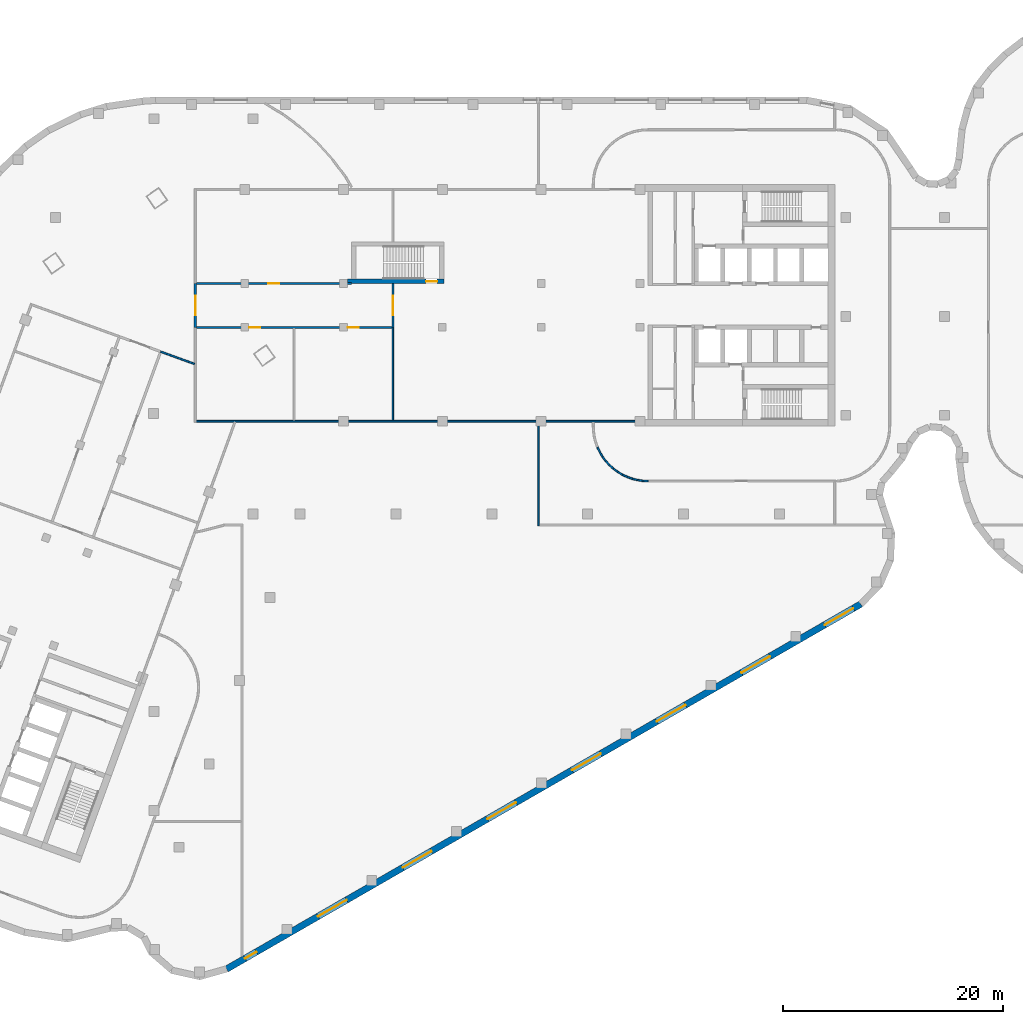
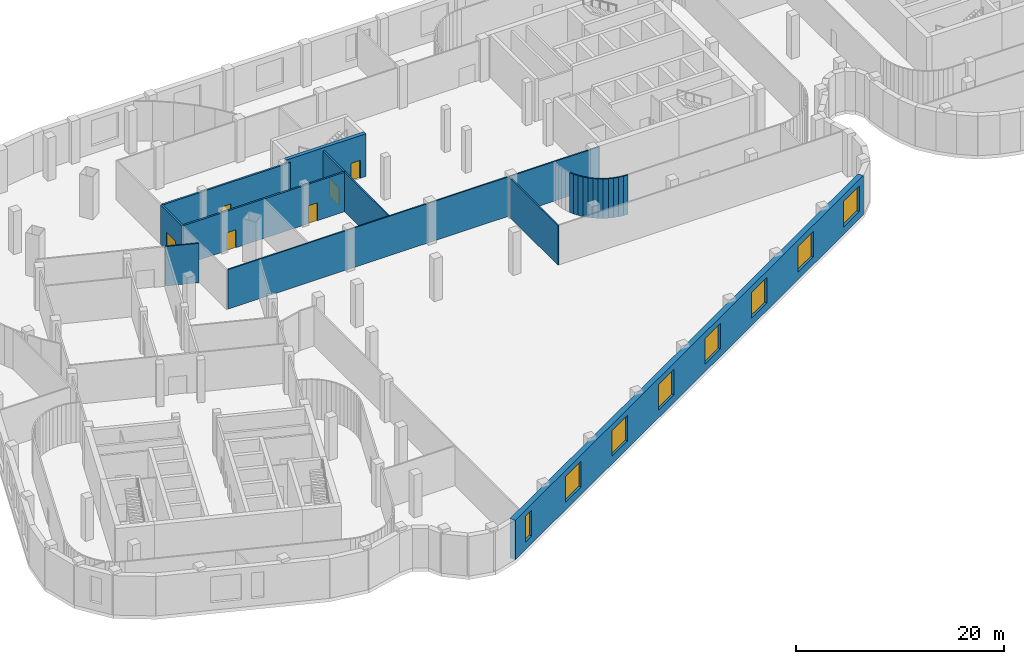
# One storey, part 7 of 18: 22 walls, 8 windows, 6 doors, 14 openings.
"""IFC4 building model written with IfcOpenShell, lengths in metres."""

from ifc_helpers import new_model, si_unit, direction, frame, frame_2d, origin, place, context, subcontext, project, spatial, rectangle, extrude, material, layer, layer_set, type_object, element, fill, save


model = new_model("IFC4")

# Units and contexts
model_context = context("Model", 3, precision=1e-05, world=origin(), true_north=direction((0.0, 1.0)))
body_context = subcontext(model_context, "Body", "Model", "MODEL_VIEW")
ifc_project = project(units=[si_unit("LENGTHUNIT", "METRE"), si_unit("AREAUNIT", "SQUARE_METRE"), si_unit("VOLUMEUNIT", "CUBIC_METRE"), si_unit("PLANEANGLEUNIT", "RADIAN"), si_unit("MASSUNIT", "GRAM", prefix="KILO")], contexts=[model_context])

# Site, building, storey
site_placement = place(None, origin())
site = spatial("IfcSite", under=ifc_project, at=site_placement, CompositionType="ELEMENT")
building_placement = place(site_placement, origin())
building = spatial("IfcBuilding", under=site, at=building_placement, Name="Skarvind Civic Tower", CompositionType="ELEMENT")
storey_placement = place(building_placement, frame((0.0, 0.0, 22.5)))
storey = spatial("IfcBuildingStorey", under=building, at=storey_placement, Name="L04", CompositionType="ELEMENT", Elevation=22.5)

# Wall, opening, door
ifc_material_1 = material(Name="Concrete C80", Category="concrete")
ifc_layer_1 = layer(ifc_material_1, 0.39990234375)
ifc_layer_set_1 = layer_set([ifc_layer_1], Name="Core wall 400 C80")
wall_type_1 = type_object("IfcWallType", Name="Core wall 400 C80", PredefinedType="SHEAR", material=ifc_layer_set_1)
wall_1_placement = place(storey_placement, frame((63.60009765625, 130.199951171875, 0.0), z_axis=(0.0, 0.0, 1.0), x_axis=(1.0, 0.0, 0.0)))
wall_1 = element("IfcWall", 1, at=wall_1_placement, inside=storey, type_object=wall_type_1, Name="Core wall CM inner L04", PredefinedType="SHEAR", context=body_context, shape_type="SweptSolid", body=[
    extrude(rectangle(XDim=8.7998046875, YDim=0.39990234375, at=frame_2d((4.39990234375, 0.0))), origin(), (0.0, 0.0, 1.0), 5.0),
])
opening_1_placement = place(wall_1_placement, frame((7.175048828125, 0.0, 0.0)))
opening_1 = element("IfcOpeningElement", 2, at=opening_1_placement, cuts=wall_1, Name="Opening D-L04-CM-01", PredefinedType="OPENING", context=body_context, shape_type="SweptSolid", body=[
    extrude(rectangle(XDim=1.0, YDim=2.10009765625, at=frame_2d((0.5, 1.050048828125))), frame((0.0, 0.2099609375, 0.0), z_axis=(0.0, -1.0, 0.0), x_axis=(1.0, 0.0, 0.0)), (0.0, 0.0, 1.0), 0.419921875),
])
ifc_material_2 = material(Name="Fire-rated steel door", Category="steel")
door_type_1 = type_object("IfcDoorType", Name="Fire door 1000", OperationType="NOTDEFINED", PredefinedType="DOOR", material=ifc_material_2)
door_1_placement = place(opening_1_placement, origin())
door_1 = element("IfcDoor", 3, at=door_1_placement, inside=storey, type_object=door_type_1, Name="Fire door", OperationType="SINGLE_SWING_LEFT", OverallHeight=2.10009765625, OverallWidth=1.0, PredefinedType="DOOR", context=body_context, shape_type="SweptSolid", body=[
    extrude(rectangle(XDim=1.0, YDim=2.10009765625, at=frame_2d((0.5, 1.050048828125))), frame((0.0, 0.02490234375, 0.0), z_axis=(0.0, -1.0, 0.0), x_axis=(1.0, 0.0, 0.0)), (0.0, 0.0, 1.0), 0.050048828125),
])
fill(opening_1, door_1)

ifc_material_3 = material(Name="Fire-rated blockwork wall, plastered", Category="masonry")
ifc_layer_2 = layer(ifc_material_3, 0.199951171875)
ifc_layer_set_2 = layer_set([ifc_layer_2], Name="FIRE WALL 200 EI 60")
wall_type_2 = type_object("IfcWallType", Name="FIRE WALL 200 EI 60", PredefinedType="PARTITIONING", material=ifc_layer_set_2)
wall_2_placement = place(storey_placement, frame((49.75, 126.0, 0.0), z_axis=(0.0, 0.0, 1.0), x_axis=(0.0, 1.0, 0.0)))
wall_2 = element("IfcWall", 4, at=wall_2_placement, inside=storey, type_object=wall_type_2, Name="Podium partition L04 100", PredefinedType="PARTITIONING", context=body_context, shape_type="SweptSolid", body=[
    extrude(rectangle(XDim=4.0, YDim=0.199951171875, at=frame_2d((2.0, 0.0))), origin(), (0.0, 0.0, 1.0), 4.625),
])
opening_2_placement = place(wall_2_placement, frame((1.10009765625, 0.0, 0.0)))
opening_2 = element("IfcOpeningElement", 5, at=opening_2_placement, cuts=wall_2, Name="Opening L04-D212", PredefinedType="OPENING", context=body_context, shape_type="SweptSolid", body=[
    extrude(rectangle(XDim=1.800048828125, YDim=2.10009765625, at=frame_2d((0.89990234375, 1.050048828125))), frame((0.0, 0.10986328125, 0.0), z_axis=(0.0, -1.0, 0.0), x_axis=(1.0, 0.0, 0.0)), (0.0, 0.0, 1.0), 0.219970703125),
])
ifc_material_4 = material(Name="Painted steel fire door leaf", Category="steel")
door_type_2 = type_object("IfcDoorType", Name="FIRE DOOR 1800X2100 DOUBLE STEEL", OperationType="NOTDEFINED", PredefinedType="DOOR", material=ifc_material_4)
door_2_placement = place(opening_2_placement, origin())
door_2 = element("IfcDoor", 6, at=door_2_placement, inside=storey, type_object=door_type_2, Name="FIRE DOOR", OperationType="DOUBLE_DOOR_SINGLE_SWING", OverallHeight=2.10009765625, OverallWidth=1.800048828125, PredefinedType="DOOR", context=body_context, shape_type="SweptSolid", body=[
    extrude(rectangle(XDim=1.800048828125, YDim=2.10009765625, at=frame_2d((0.89990234375, 1.050048828125))), frame((0.0, 0.02490234375, 0.0), z_axis=(0.0, -1.0, 0.0), x_axis=(1.0, 0.0, 0.0)), (0.0, 0.0, 1.0), 0.050048828125),
])
fill(opening_2, door_2)

# Wall, openings, doors
wall_3_placement = place(storey_placement, frame((67.64990234375, 126.0, 0.0), z_axis=(0.0, 0.0, 1.0), x_axis=(-1.0, 0.0, 0.0)))
wall_3 = element("IfcWall", 7, at=wall_3_placement, inside=storey, type_object=wall_type_2, Name="Podium partition L04 101", PredefinedType="PARTITIONING", context=body_context, shape_type="SweptSolid", body=[
    extrude(rectangle(XDim=17.7998046875, YDim=0.199951171875, at=frame_2d((8.89990234375, 0.0))), origin(), (0.0, 0.0, 1.0), 4.625),
])
opening_3_placement = place(wall_3_placement, frame((11.998046875, 0.0, 0.0)))
opening_3 = element("IfcOpeningElement", 8, at=opening_3_placement, cuts=wall_3, Name="Opening L04-D213", PredefinedType="OPENING", context=body_context, shape_type="SweptSolid", body=[
    extrude(rectangle(XDim=1.0, YDim=2.10009765625, at=frame_2d((0.5, 1.050048828125))), frame((0.0, 0.10986328125, 0.0), z_axis=(0.0, -1.0, 0.0), x_axis=(1.0, 0.0, 0.0)), (0.0, 0.0, 1.0), 0.219970703125),
])
opening_4_placement = place(wall_3_placement, frame((3.001953125, 0.0, 0.0)))
opening_4 = element("IfcOpeningElement", 9, at=opening_4_placement, cuts=wall_3, Name="Opening L04-D215", PredefinedType="OPENING", context=body_context, shape_type="SweptSolid", body=[
    extrude(rectangle(XDim=1.0, YDim=2.10009765625, at=frame_2d((0.5, 1.050048828125))), frame((0.0, 0.10986328125, 0.0), z_axis=(0.0, -1.0, 0.0), x_axis=(1.0, 0.0, 0.0)), (0.0, 0.0, 1.0), 0.219970703125),
])
door_type_3 = type_object("IfcDoorType", Name="FIRE DOOR 1000X2100 STEEL", OperationType="NOTDEFINED", PredefinedType="DOOR", material=ifc_material_4)
door_3_placement = place(opening_3_placement, origin())
door_3 = element("IfcDoor", 10, at=door_3_placement, inside=storey, type_object=door_type_3, Name="FIRE DOOR", OperationType="SINGLE_SWING_LEFT", OverallHeight=2.10009765625, OverallWidth=1.0, PredefinedType="DOOR", context=body_context, shape_type="SweptSolid", body=[
    extrude(rectangle(XDim=1.0, YDim=2.10009765625, at=frame_2d((0.5, 1.050048828125))), frame((0.0, 0.02490234375, 0.0), z_axis=(0.0, -1.0, 0.0), x_axis=(1.0, 0.0, 0.0)), (0.0, 0.0, 1.0), 0.050048828125),
])
fill(opening_3, door_3)
door_4_placement = place(opening_4_placement, origin())
door_4 = element("IfcDoor", 11, at=door_4_placement, inside=storey, type_object=door_type_3, Name="FIRE DOOR", OperationType="SINGLE_SWING_LEFT", OverallHeight=2.10009765625, OverallWidth=1.0, PredefinedType="DOOR", context=body_context, shape_type="SweptSolid", body=[
    extrude(rectangle(XDim=1.0, YDim=2.10009765625, at=frame_2d((0.5, 1.050048828125))), frame((0.0, 0.02490234375, 0.0), z_axis=(0.0, -1.0, 0.0), x_axis=(1.0, 0.0, 0.0)), (0.0, 0.0, 1.0), 0.050048828125),
])
fill(opening_4, door_4)

# Wall, opening, door
wall_4_placement = place(storey_placement, frame((49.85009765625, 130.0, 0.0), z_axis=(0.0, 0.0, 1.0), x_axis=(1.0, 0.0, 0.0)))
wall_4 = element("IfcWall", 12, at=wall_4_placement, inside=storey, type_object=wall_type_2, Name="Podium partition L04 103", PredefinedType="PARTITIONING", context=body_context, shape_type="SweptSolid", body=[
    extrude(rectangle(XDim=14.14990234375, YDim=0.199951171875, at=frame_2d((7.074951171875, 0.0))), origin(), (0.0, 0.0, 1.0), 4.625),
])
opening_5_placement = place(wall_4_placement, frame((6.52490234375, 0.0, 0.0)))
opening_5 = element("IfcOpeningElement", 13, at=opening_5_placement, cuts=wall_4, Name="Opening L04-D214", PredefinedType="OPENING", context=body_context, shape_type="SweptSolid", body=[
    extrude(rectangle(XDim=1.0, YDim=2.10009765625, at=frame_2d((0.5, 1.050048828125))), frame((0.0, 0.10986328125, 0.0), z_axis=(0.0, -1.0, 0.0), x_axis=(1.0, 0.0, 0.0)), (0.0, 0.0, 1.0), 0.219970703125),
])
door_5_placement = place(opening_5_placement, origin())
door_5 = element("IfcDoor", 14, at=door_5_placement, inside=storey, type_object=door_type_3, Name="FIRE DOOR", OperationType="SINGLE_SWING_LEFT", OverallHeight=2.10009765625, OverallWidth=1.0, PredefinedType="DOOR", context=body_context, shape_type="SweptSolid", body=[
    extrude(rectangle(XDim=1.0, YDim=2.10009765625, at=frame_2d((0.5, 1.050048828125))), frame((0.0, 0.02490234375, 0.0), z_axis=(0.0, -1.0, 0.0), x_axis=(1.0, 0.0, 0.0)), (0.0, 0.0, 1.0), 0.050048828125),
])
fill(opening_5, door_5)

wall_5_placement = place(storey_placement, frame((67.75, 130.0, 0.0), z_axis=(0.0, 0.0, 1.0), x_axis=(0.0, -1.0, 0.0)))
wall_5 = element("IfcWall", 15, at=wall_5_placement, inside=storey, type_object=wall_type_2, Name="Podium partition L04 125", PredefinedType="PARTITIONING", context=body_context, shape_type="SweptSolid", body=[
    extrude(rectangle(XDim=4.0, YDim=0.199951171875, at=frame_2d((2.0, 0.0))), origin(), (0.0, 0.0, 1.0), 4.625),
])
opening_6_placement = place(wall_5_placement, frame((1.10009765625, 0.0, 0.0)))
opening_6 = element("IfcOpeningElement", 16, at=opening_6_placement, cuts=wall_5, Name="Opening L04-D216", PredefinedType="OPENING", context=body_context, shape_type="SweptSolid", body=[
    extrude(rectangle(XDim=1.800048828125, YDim=2.10009765625, at=frame_2d((0.89990234375, 1.050048828125))), frame((0.0, 0.10986328125, 0.0), z_axis=(0.0, -1.0, 0.0), x_axis=(1.0, 0.0, 0.0)), (0.0, 0.0, 1.0), 0.219970703125),
])
door_6_placement = place(opening_6_placement, origin())
door_6 = element("IfcDoor", 17, at=door_6_placement, inside=storey, type_object=door_type_2, Name="FIRE DOOR", OperationType="DOUBLE_DOOR_SINGLE_SWING", OverallHeight=2.10009765625, OverallWidth=1.800048828125, PredefinedType="DOOR", context=body_context, shape_type="SweptSolid", body=[
    extrude(rectangle(XDim=1.800048828125, YDim=2.10009765625, at=frame_2d((0.89990234375, 1.050048828125))), frame((0.0, 0.02490234375, 0.0), z_axis=(0.0, -1.0, 0.0), x_axis=(1.0, 0.0, 0.0)), (0.0, 0.0, 1.0), 0.050048828125),
])
fill(opening_6, door_6)

# Walls
ifc_material_5 = material(Name="Plasterboard partition on steel studs", Category="steel")
ifc_layer_3 = layer(ifc_material_5, 0.14990234375)
ifc_layer_set_3 = layer_set([ifc_layer_3], Name="PARTITION 150")
wall_type_3 = type_object("IfcWallType", Name="PARTITION 150", PredefinedType="PARTITIONING", material=ifc_layer_set_3)
wall_6_placement = place(storey_placement, frame((46.596923828125, 123.7919921875, 0.0), z_axis=(0.0, 0.0, 1.0), x_axis=(0.939619227089, -0.342221723572, 0.0)))
element("IfcWall", 18, at=wall_6_placement, inside=storey, type_object=wall_type_3, Name="Podium partition L04 084", PredefinedType="PARTITIONING", context=body_context, shape_type="SweptSolid", body=[
    extrude(rectangle(XDim=3.27587890625, YDim=0.14990234375, at=frame_2d((1.637939453125, 0.0))), origin(), (0.0, 0.0, 1.0), 4.625),
])
wall_7_placement = place(storey_placement, frame((49.824951171875, 117.449951171875, 0.0), z_axis=(0.0, 0.0, 1.0), x_axis=(1.0, 0.0, 0.0)))
element("IfcWall", 19, at=wall_7_placement, inside=storey, type_object=wall_type_3, Name="Podium partition L04 099", PredefinedType="PARTITIONING", context=body_context, shape_type="SweptSolid", body=[
    extrude(rectangle(XDim=41.175048828125, YDim=0.14990234375, at=frame_2d((20.58740234375, 0.0))), origin(), (0.0, 0.0, 1.0), 4.625),
])
wall_8_placement = place(storey_placement, frame((67.75, 117.52490234375, 0.0), z_axis=(0.0, 0.0, 1.0), x_axis=(0.0, 1.0, 0.0)))
element("IfcWall", 20, at=wall_8_placement, inside=storey, type_object=wall_type_3, Name="Podium partition L04 124", PredefinedType="PARTITIONING", context=body_context, shape_type="SweptSolid", body=[
    extrude(rectangle(XDim=8.47509765625, YDim=0.14990234375, at=frame_2d((4.237548828125, 0.0))), origin(), (0.0, 0.0, 1.0), 4.625),
])
wall_9_placement = place(storey_placement, frame((81.0, 107.925048828125, 0.0), z_axis=(0.0, 0.0, 1.0), x_axis=(0.0, 1.0, 0.0)))
element("IfcWall", 21, at=wall_9_placement, inside=storey, type_object=wall_type_3, Name="Podium partition L04 127", PredefinedType="PARTITIONING", context=body_context, shape_type="SweptSolid", body=[
    extrude(rectangle(XDim=9.449951171875, YDim=0.14990234375, at=frame_2d((4.72509765625, 0.0))), origin(), (0.0, 0.0, 1.0), 4.625),
])
wall_10_placement = place(storey_placement, frame((86.37890625, 115.090087890625, 0.0), z_axis=(0.0, 0.0, 1.0), x_axis=(0.427896709028, -0.903827641978, 0.0)))
element("IfcWall", 22, at=wall_10_placement, inside=storey, type_object=wall_type_3, Name="Podium partition L04 140", PredefinedType="PARTITIONING", context=body_context, shape_type="SweptSolid", body=[
    extrude(rectangle(XDim=0.498046875, YDim=0.14990234375, at=frame_2d((0.2490234375, 0.0))), origin(), (0.0, 0.0, 1.0), 4.625),
])
wall_11_placement = place(storey_placement, frame((86.587890625, 114.64599609375, 0.0), z_axis=(0.0, 0.0, 1.0), x_axis=(0.515791778052, -0.85671397893, 0.0)))
element("IfcWall", 23, at=wall_11_placement, inside=storey, type_object=wall_type_3, Name="Podium partition L04 142", PredefinedType="PARTITIONING", context=body_context, shape_type="SweptSolid", body=[
    extrude(rectangle(XDim=0.49853515625, YDim=0.14990234375, at=frame_2d((0.249267578125, 0.0))), origin(), (0.0, 0.0, 1.0), 4.625),
])
wall_12_placement = place(storey_placement, frame((86.841064453125, 114.22509765625, 0.0), z_axis=(0.0, 0.0, 1.0), x_axis=(0.594570362092, -0.80404358372, 0.0)))
element("IfcWall", 24, at=wall_12_placement, inside=storey, type_object=wall_type_3, Name="Podium partition L04 144", PredefinedType="PARTITIONING", context=body_context, shape_type="SweptSolid", body=[
    extrude(rectangle(XDim=0.49755859375, YDim=0.14990234375, at=frame_2d((0.248779296875, 0.0))), origin(), (0.0, 0.0, 1.0), 4.625),
])
for number, where, z_axis, x_axis, name in (
    (25, (87.133056640625, 113.8310546875, 0.0), (0.0, 0.0, 1.0), (0.66993818776, -0.742416880587, 0.0), "Podium partition L04 146"),
    (26, (87.4609375, 113.467041015625, 0.0), (0.0, 0.0, 1.0), (0.742416880587, -0.66993818776, 0.0), "Podium partition L04 148"),
):
    element("IfcWall", number, at=place(storey_placement, frame(where, z_axis=z_axis, x_axis=x_axis)), inside=storey, type_object=wall_type_3, Name=name, PredefinedType="PARTITIONING", context=body_context, shape_type="SweptSolid", body=[
        extrude(rectangle(XDim=0.49853515625, YDim=0.14990234375, at=frame_2d((0.249267578125, 0.0))), origin(), (0.0, 0.0, 1.0), 4.625),
    ])
wall_13_placement = place(storey_placement, frame((87.824951171875, 113.136962890625, 0.0), z_axis=(0.0, 0.0, 1.0), x_axis=(0.80404358372, -0.594570362092, 0.0)))
element("IfcWall", 27, at=wall_13_placement, inside=storey, type_object=wall_type_3, Name="Podium partition L04 150", PredefinedType="PARTITIONING", context=body_context, shape_type="SweptSolid", body=[
    extrude(rectangle(XDim=0.49755859375, YDim=0.14990234375, at=frame_2d((0.248779296875, 0.0))), origin(), (0.0, 0.0, 1.0), 4.625),
])
wall_14_placement = place(storey_placement, frame((88.218994140625, 112.844970703125, 0.0), z_axis=(0.0, 0.0, 1.0), x_axis=(0.85671397893, -0.515791778052, 0.0)))
element("IfcWall", 28, at=wall_14_placement, inside=storey, type_object=wall_type_3, Name="Podium partition L04 152", PredefinedType="PARTITIONING", context=body_context, shape_type="SweptSolid", body=[
    extrude(rectangle(XDim=0.49853515625, YDim=0.14990234375, at=frame_2d((0.249267578125, 0.0))), origin(), (0.0, 0.0, 1.0), 4.625),
])
for number, where, z_axis, x_axis, name in (
    (29, (88.639892578125, 112.592041015625, 0.0), (0.0, 0.0, 1.0), (0.903827641978, -0.427896709028, 0.0), "Podium partition L04 154"),
    (30, (89.083984375, 112.382080078125, 0.0), (0.0, 0.0, 1.0), (0.941442168887, -0.3371744988, 0.0), "Podium partition L04 156"),
):
    element("IfcWall", number, at=place(storey_placement, frame(where, z_axis=z_axis, x_axis=x_axis)), inside=storey, type_object=wall_type_3, Name=name, PredefinedType="PARTITIONING", context=body_context, shape_type="SweptSolid", body=[
        extrude(rectangle(XDim=0.498046875, YDim=0.14990234375, at=frame_2d((0.2490234375, 0.0))), origin(), (0.0, 0.0, 1.0), 4.625),
    ])
wall_15_placement = place(storey_placement, frame((89.544921875, 112.216064453125, 0.0), z_axis=(0.0, 0.0, 1.0), x_axis=(0.970113715952, -0.242650732785, 0.0)))
element("IfcWall", 31, at=wall_15_placement, inside=storey, type_object=wall_type_3, Name="Podium partition L04 158", PredefinedType="PARTITIONING", context=body_context, shape_type="SweptSolid", body=[
    extrude(rectangle(XDim=0.4990234375, YDim=0.14990234375, at=frame_2d((0.24951171875, 0.0))), origin(), (0.0, 0.0, 1.0), 4.625),
])
wall_16_placement = place(storey_placement, frame((90.02099609375, 112.096923828125, 0.0), z_axis=(0.0, 0.0, 1.0), x_axis=(0.988925572052, -0.148412307247, 0.0)))
element("IfcWall", 32, at=wall_16_placement, inside=storey, type_object=wall_type_3, Name="Podium partition L04 160", PredefinedType="PARTITIONING", context=body_context, shape_type="SweptSolid", body=[
    extrude(rectangle(XDim=0.49853515625, YDim=0.14990234375, at=frame_2d((0.249267578125, 0.0))), origin(), (0.0, 0.0, 1.0), 4.625),
])
wall_17_placement = place(storey_placement, frame((90.506103515625, 112.02392578125, 0.0), z_axis=(0.0, 0.0, 1.0), x_axis=(0.998837896651, -0.048196018647, 0.0)))
element("IfcWall", 33, at=wall_17_placement, inside=storey, type_object=wall_type_3, Name="Podium partition L04 162", PredefinedType="PARTITIONING", context=body_context, shape_type="SweptSolid", body=[
    extrude(rectangle(XDim=0.496337890625, YDim=0.14990234375, at=frame_2d((0.248046875, 0.0))), origin(), (0.0, 0.0, 1.0), 4.625),
])

# Wall, openings, windows
ifc_material_6 = material(Name="Limestone masonry cladding on insulated backing", Category="masonry")
ifc_layer_4 = layer(ifc_material_6, 0.60009765625)
ifc_layer_set_4 = layer_set([ifc_layer_4], Name="WX1 STONE FACADE WALL 600")
wall_type_4 = type_object("IfcWallType", Name="WX1 STONE FACADE WALL 600", PredefinedType="SOLIDWALL", material=ifc_layer_set_4)
wall_18_placement = place(storey_placement, frame((110.367919921875, 100.798095703125, 0.0), z_axis=(0.0, 0.0, 1.0), x_axis=(-0.866702553925, -0.498825303107, 0.0)))
wall_18 = element("IfcWall", 34, at=wall_18_placement, inside=storey, type_object=wall_type_4, Name="STONE FACADE WALL", PredefinedType="SOLIDWALL", context=body_context, shape_type="SweptSolid", body=[
    extrude(rectangle(XDim=66.650634765625, YDim=0.60009765625, at=frame_2d((33.3251953125, 0.0))), origin(), (0.0, 0.0, 1.0), 4.625),
])
opening_7_placement = place(wall_18_placement, frame((0.79443359375, 0.0, 0.89990234375)))
opening_7 = element("IfcOpeningElement", 35, at=opening_7_placement, cuts=wall_18, Name="Opening WN2", PredefinedType="OPENING", context=body_context, shape_type="SweptSolid", body=[
    extrude(rectangle(XDim=3.0, YDim=3.0, at=frame_2d((1.5, 1.5))), frame((0.0, 0.31005859375, 0.0), z_axis=(0.0, -1.0, 0.0), x_axis=(1.0, 0.0, 0.0)), (0.0, 0.0, 1.0), 0.6201171875),
])
opening_8_placement = place(wall_18_placement, frame((9.541748046875, 0.0, 0.89990234375)))
opening_8 = element("IfcOpeningElement", 36, at=opening_8_placement, cuts=wall_18, Name="Opening WN2", PredefinedType="OPENING", context=body_context, shape_type="SweptSolid", body=[
    extrude(rectangle(XDim=3.0, YDim=3.0, at=frame_2d((1.5, 1.5))), frame((0.0, 0.31005859375, 0.0), z_axis=(0.0, -1.0, 0.0), x_axis=(1.0, 0.0, 0.0)), (0.0, 0.0, 1.0), 0.6201171875),
])
opening_9_placement = place(wall_18_placement, frame((18.439208984375, 0.0, 0.89990234375)))
opening_9 = element("IfcOpeningElement", 37, at=opening_9_placement, cuts=wall_18, Name="Opening WN2", PredefinedType="OPENING", context=body_context, shape_type="SweptSolid", body=[
    extrude(rectangle(XDim=3.0, YDim=3.0, at=frame_2d((1.5, 1.5))), frame((0.0, 0.31005859375, 0.0), z_axis=(0.0, -1.0, 0.0), x_axis=(1.0, 0.0, 0.0)), (0.0, 0.0, 1.0), 0.6201171875),
])
opening_10_placement = place(wall_18_placement, frame((27.336669921875, 0.0, 0.89990234375)))
opening_10 = element("IfcOpeningElement", 38, at=opening_10_placement, cuts=wall_18, Name="Opening WN2", PredefinedType="OPENING", context=body_context, shape_type="SweptSolid", body=[
    extrude(rectangle(XDim=3.0, YDim=3.0, at=frame_2d((1.5, 1.5))), frame((0.0, 0.31005859375, 0.0), z_axis=(0.0, -1.0, 0.0), x_axis=(1.0, 0.0, 0.0)), (0.0, 0.0, 1.0), 0.6201171875),
])
opening_11_placement = place(wall_18_placement, frame((36.23388671875, 0.0, 0.89990234375)))
opening_11 = element("IfcOpeningElement", 39, at=opening_11_placement, cuts=wall_18, Name="Opening WN2", PredefinedType="OPENING", context=body_context, shape_type="SweptSolid", body=[
    extrude(rectangle(XDim=3.0, YDim=3.0, at=frame_2d((1.5, 1.5))), frame((0.0, 0.31005859375, 0.0), z_axis=(0.0, -1.0, 0.0), x_axis=(1.0, 0.0, 0.0)), (0.0, 0.0, 1.0), 0.6201171875),
])
opening_12_placement = place(wall_18_placement, frame((45.13134765625, 0.0, 0.89990234375)))
opening_12 = element("IfcOpeningElement", 40, at=opening_12_placement, cuts=wall_18, Name="Opening WN2", PredefinedType="OPENING", context=body_context, shape_type="SweptSolid", body=[
    extrude(rectangle(XDim=3.0, YDim=3.0, at=frame_2d((1.5, 1.5))), frame((0.0, 0.31005859375, 0.0), z_axis=(0.0, -1.0, 0.0), x_axis=(1.0, 0.0, 0.0)), (0.0, 0.0, 1.0), 0.6201171875),
])
opening_13_placement = place(wall_18_placement, frame((54.02880859375, 0.0, 0.89990234375)))
opening_13 = element("IfcOpeningElement", 41, at=opening_13_placement, cuts=wall_18, Name="Opening WN2", PredefinedType="OPENING", context=body_context, shape_type="SweptSolid", body=[
    extrude(rectangle(XDim=3.0, YDim=3.0, at=frame_2d((1.5, 1.5))), frame((0.0, 0.31005859375, 0.0), z_axis=(0.0, -1.0, 0.0), x_axis=(1.0, 0.0, 0.0)), (0.0, 0.0, 1.0), 0.6201171875),
])
opening_14_placement = place(wall_18_placement, frame((63.514404296875, 0.0, 0.89990234375)))
opening_14 = element("IfcOpeningElement", 42, at=opening_14_placement, cuts=wall_18, Name="Opening WN6", PredefinedType="OPENING", context=body_context, shape_type="SweptSolid", body=[
    extrude(rectangle(XDim=1.199951171875, YDim=3.0, at=frame_2d((0.60009765625, 1.5))), frame((0.0, 0.31005859375, 0.0), z_axis=(0.0, -1.0, 0.0), x_axis=(1.0, 0.0, 0.0)), (0.0, 0.0, 1.0), 0.6201171875),
])
ifc_material_7 = material(Name="Timber frame, double glazing, timber-lined reveal", Category="wood")
window_type_1 = type_object("IfcWindowType", Name="WN2 PODIUM STONE WINDOW 3000 x 3000", PartitioningType="SINGLE_PANEL", PredefinedType="WINDOW", material=ifc_material_7)
window_1_placement = place(opening_7_placement, origin())
window_1 = element("IfcWindow", 43, at=window_1_placement, inside=storey, type_object=window_type_1, Name="WN2 WINDOW", OverallHeight=3.0, OverallWidth=3.0, PartitioningType="SINGLE_PANEL", PredefinedType="WINDOW", context=body_context, shape_type="SweptSolid", body=[
    extrude(rectangle(XDim=3.0, YDim=3.0, at=frame_2d((1.5, 1.5))), frame((0.0, 0.030029296875, 0.0), z_axis=(0.0, -1.0, 0.0), x_axis=(1.0, 0.0, 0.0)), (0.0, 0.0, 1.0), 0.06005859375),
])
fill(opening_7, window_1)
window_2_placement = place(opening_8_placement, origin())
window_2 = element("IfcWindow", 44, at=window_2_placement, inside=storey, type_object=window_type_1, Name="WN2 WINDOW", OverallHeight=3.0, OverallWidth=3.0, PartitioningType="SINGLE_PANEL", PredefinedType="WINDOW", context=body_context, shape_type="SweptSolid", body=[
    extrude(rectangle(XDim=3.0, YDim=3.0, at=frame_2d((1.5, 1.5))), frame((0.0, 0.030029296875, 0.0), z_axis=(0.0, -1.0, 0.0), x_axis=(1.0, 0.0, 0.0)), (0.0, 0.0, 1.0), 0.06005859375),
])
fill(opening_8, window_2)
window_3_placement = place(opening_9_placement, origin())
window_3 = element("IfcWindow", 45, at=window_3_placement, inside=storey, type_object=window_type_1, Name="WN2 WINDOW", OverallHeight=3.0, OverallWidth=3.0, PartitioningType="SINGLE_PANEL", PredefinedType="WINDOW", context=body_context, shape_type="SweptSolid", body=[
    extrude(rectangle(XDim=3.0, YDim=3.0, at=frame_2d((1.5, 1.5))), frame((0.0, 0.030029296875, 0.0), z_axis=(0.0, -1.0, 0.0), x_axis=(1.0, 0.0, 0.0)), (0.0, 0.0, 1.0), 0.06005859375),
])
fill(opening_9, window_3)
window_4_placement = place(opening_10_placement, origin())
window_4 = element("IfcWindow", 46, at=window_4_placement, inside=storey, type_object=window_type_1, Name="WN2 WINDOW", OverallHeight=3.0, OverallWidth=3.0, PartitioningType="SINGLE_PANEL", PredefinedType="WINDOW", context=body_context, shape_type="SweptSolid", body=[
    extrude(rectangle(XDim=3.0, YDim=3.0, at=frame_2d((1.5, 1.5))), frame((0.0, 0.030029296875, 0.0), z_axis=(0.0, -1.0, 0.0), x_axis=(1.0, 0.0, 0.0)), (0.0, 0.0, 1.0), 0.06005859375),
])
fill(opening_10, window_4)
window_5_placement = place(opening_11_placement, origin())
window_5 = element("IfcWindow", 47, at=window_5_placement, inside=storey, type_object=window_type_1, Name="WN2 WINDOW", OverallHeight=3.0, OverallWidth=3.0, PartitioningType="SINGLE_PANEL", PredefinedType="WINDOW", context=body_context, shape_type="SweptSolid", body=[
    extrude(rectangle(XDim=3.0, YDim=3.0, at=frame_2d((1.5, 1.5))), frame((0.0, 0.030029296875, 0.0), z_axis=(0.0, -1.0, 0.0), x_axis=(1.0, 0.0, 0.0)), (0.0, 0.0, 1.0), 0.06005859375),
])
fill(opening_11, window_5)
window_6_placement = place(opening_12_placement, origin())
window_6 = element("IfcWindow", 48, at=window_6_placement, inside=storey, type_object=window_type_1, Name="WN2 WINDOW", OverallHeight=3.0, OverallWidth=3.0, PartitioningType="SINGLE_PANEL", PredefinedType="WINDOW", context=body_context, shape_type="SweptSolid", body=[
    extrude(rectangle(XDim=3.0, YDim=3.0, at=frame_2d((1.5, 1.5))), frame((0.0, 0.030029296875, 0.0), z_axis=(0.0, -1.0, 0.0), x_axis=(1.0, 0.0, 0.0)), (0.0, 0.0, 1.0), 0.06005859375),
])
fill(opening_12, window_6)
window_7_placement = place(opening_13_placement, origin())
window_7 = element("IfcWindow", 49, at=window_7_placement, inside=storey, type_object=window_type_1, Name="WN2 WINDOW", OverallHeight=3.0, OverallWidth=3.0, PartitioningType="SINGLE_PANEL", PredefinedType="WINDOW", context=body_context, shape_type="SweptSolid", body=[
    extrude(rectangle(XDim=3.0, YDim=3.0, at=frame_2d((1.5, 1.5))), frame((0.0, 0.030029296875, 0.0), z_axis=(0.0, -1.0, 0.0), x_axis=(1.0, 0.0, 0.0)), (0.0, 0.0, 1.0), 0.06005859375),
])
fill(opening_13, window_7)
window_type_2 = type_object("IfcWindowType", Name="WN6 NARROW PODIUM WINDOW 1200 x 3000", PartitioningType="SINGLE_PANEL", PredefinedType="WINDOW", material=ifc_material_7)
window_8_placement = place(opening_14_placement, origin())
window_8 = element("IfcWindow", 50, at=window_8_placement, inside=storey, type_object=window_type_2, Name="WN6 WINDOW", OverallHeight=3.0, OverallWidth=1.199951171875, PartitioningType="SINGLE_PANEL", PredefinedType="WINDOW", context=body_context, shape_type="SweptSolid", body=[
    extrude(rectangle(XDim=1.199951171875, YDim=3.0, at=frame_2d((0.60009765625, 1.5))), frame((0.0, 0.030029296875, 0.0), z_axis=(0.0, -1.0, 0.0), x_axis=(1.0, 0.0, 0.0)), (0.0, 0.0, 1.0), 0.06005859375),
])
fill(opening_14, window_8)

save(model, "model.ifc")
